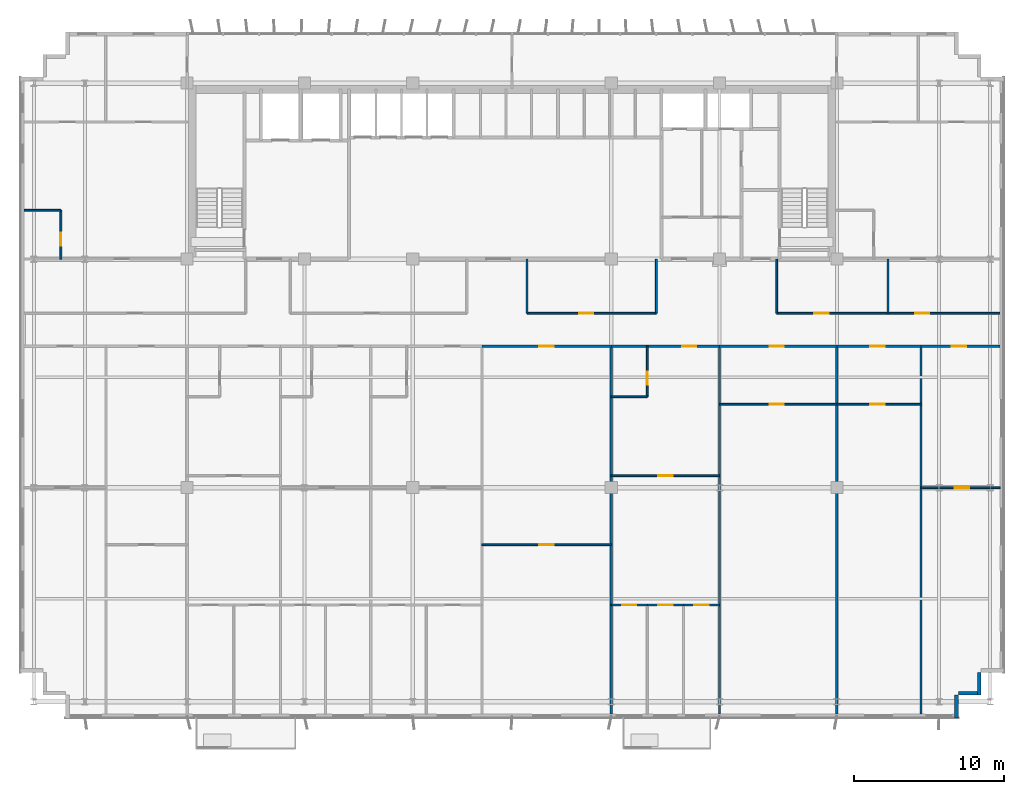
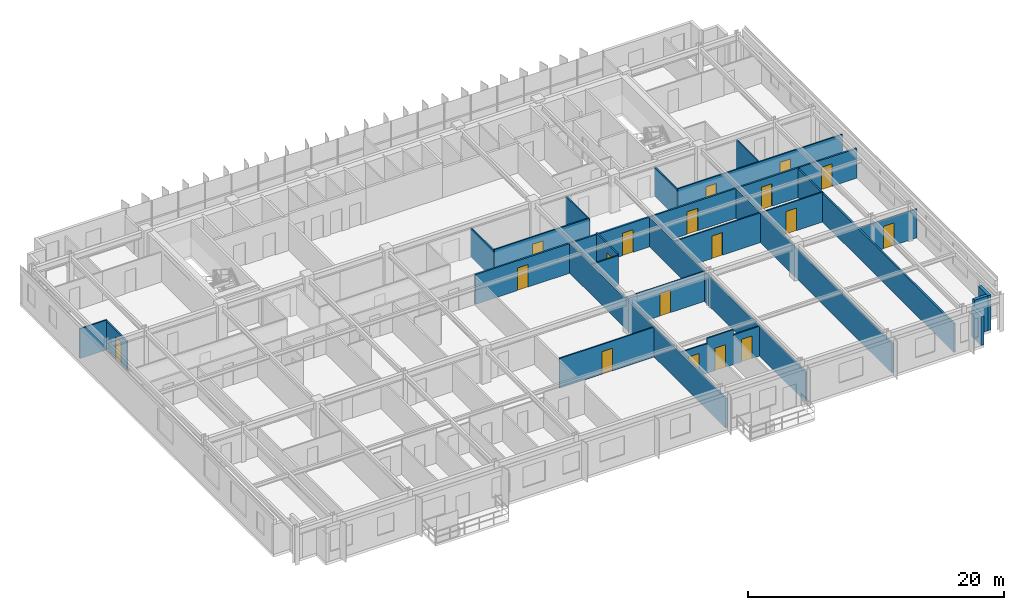
# One storey, part 16 of 22: 30 walls, 18 doors, 18 openings.
"""IFC4 building model written with IfcOpenShell, lengths in metres."""

import ifcopenshell
import ifcopenshell.guid

model = None  # the IFC model being written
_history = None  # IfcOwnerHistory: only IFC2X3 demands one
_inside = {}  # id of a spatial element -> (the spatial element, [elements in it])
_under = {}  # id of a project, library or spatial element -> (it, [spatial elements below it])
_declared = {}  # id of a project -> (the project, [libraries it declares])
_typed = {}  # id of a type object -> (the type object, [elements of that type])
_made_of = {}  # id of a material, layer set ... -> (it, [elements and type objects made of it])


def new_model(schema):
    """Start an empty IFC model of exactly this schema.

    Asked for "IFC4X3", IfcOpenShell would pick the latest addendum, in which some entities
    have other attributes; the version numbers below select the first issue.
    IFC2X3 requires an IfcOwnerHistory on every rooted entity: one is made here for all.
    """
    global model, _history
    if schema == "IFC4X3":
        model = ifcopenshell.file(schema_version=(4, 3, 0, 0))
    else:
        model = ifcopenshell.file(schema=schema)
    _inside.clear()
    _under.clear()
    _declared.clear()
    _typed.clear()
    _made_of.clear()
    _history = None
    if model.schema == "IFC2X3":
        org = make("IfcOrganization", Name="unknown")
        user = make(
            "IfcPersonAndOrganization",
            ThePerson=make("IfcPerson", FamilyName="unknown"),
            TheOrganization=org,
        )
        app = make(
            "IfcApplication",
            ApplicationDeveloper=org,
            Version="unknown",
            ApplicationFullName="unknown",
            ApplicationIdentifier="unknown",
        )
        _history = make(
            "IfcOwnerHistory",
            OwningUser=user,
            OwningApplication=app,
            ChangeAction="ADDED",
            CreationDate=0,
        )
    return model


def make(cls, **values):
    """One entity of the class cls with the attributes given. An attribute that is None is left unset."""
    return model.create_entity(
        cls, **{name: value for name, value in values.items() if value is not None}
    )


def rooted(cls, **values):
    """An entity with a GlobalId (a new one), such as an element, a storey or a relation."""
    return make(cls, GlobalId=ifcopenshell.guid.new(), OwnerHistory=_history, **values)


def si_unit(unit_type, name, prefix=None):
    """IfcSIUnit, for example si_unit("LENGTHUNIT", "METRE", prefix="MILLI")."""
    return make("IfcSIUnit", UnitType=unit_type, Prefix=prefix, Name=name)


def assignment(units):
    """IfcUnitAssignment: the units of a project."""
    return None if units is None else make("IfcUnitAssignment", Units=units)


def point(xyz):
    """IfcCartesianPoint."""
    return None if xyz is None else make("IfcCartesianPoint", Coordinates=xyz)


def direction(xyz):
    """IfcDirection."""
    return None if xyz is None else make("IfcDirection", DirectionRatios=xyz)


def frame(location, z_axis=None, x_axis=None):
    """IfcAxis2Placement3D, a coordinate frame: its origin and axes. An axis left out is left unset."""
    return make(
        "IfcAxis2Placement3D",
        Location=point(location),
        Axis=direction(z_axis),
        RefDirection=direction(x_axis),
    )


def frame_2d(location, x_axis=None):
    """IfcAxis2Placement2D, a coordinate frame in the plane: its origin and x axis."""
    return make(
        "IfcAxis2Placement2D", Location=point(location), RefDirection=direction(x_axis)
    )


def origin():
    """The frame at (0, 0, 0) with its axes left unset."""
    return frame((0.0, 0.0, 0.0))


def place(relative_to, where):
    """IfcLocalPlacement: puts the frame where relative to a parent placement (None: the world)."""
    return make(
        "IfcLocalPlacement", PlacementRelTo=relative_to, RelativePlacement=where
    )


def context(
    kind, dimensions, precision=None, world=None, true_north=None, identifier=None
):
    """IfcGeometricRepresentationContext, for example the 3D "Model" context."""
    return make(
        "IfcGeometricRepresentationContext",
        ContextIdentifier=identifier,
        ContextType=kind,
        CoordinateSpaceDimension=dimensions,
        Precision=precision,
        WorldCoordinateSystem=world,
        TrueNorth=true_north,
    )


def subcontext(parent, identifier, kind, view, scale=None):
    """IfcGeometricRepresentationSubContext, for example "Body" below "Model"."""
    return make(
        "IfcGeometricRepresentationSubContext",
        ContextIdentifier=identifier,
        ContextType=kind,
        ParentContext=parent,
        TargetScale=scale,
        TargetView=view,
    )


def project(units=None, contexts=None):
    """IfcProject with its units and contexts."""
    return rooted(
        "IfcProject",
        Name="project",
        RepresentationContexts=contexts,
        UnitsInContext=assignment(units),
    )


def spatial(cls, under=None, at=None, **own):
    """A site, building, storey or space (cls), placed at a placement, below another one or the project."""
    s = rooted(cls, ObjectPlacement=at, **own)
    if under is not None:
        _under.setdefault(under.id(), (under, []))[1].append(s)
    return s


def profile(cls, at=None, kind="AREA", **sizes):
    """A parametric profile (cls). Its sizes go by their IFC names, for example OverallWidth=200.0."""
    return make(cls, ProfileType=kind, Position=at, **sizes)


def rectangle(**sizes):
    """IfcRectangleProfileDef."""
    return profile("IfcRectangleProfileDef", **sizes)


def extrude(swept, where, along, depth):
    """IfcExtrudedAreaSolid: the profile swept, set in the frame where, extruded along a direction by depth."""
    return make(
        "IfcExtrudedAreaSolid",
        SweptArea=swept,
        Position=where,
        ExtrudedDirection=direction(along),
        Depth=depth,
    )


def shape(context_of_items, identifier, shape_type, items):
    """IfcShapeRepresentation: the items that make up one representation, for example the "Body"."""
    return make(
        "IfcShapeRepresentation",
        ContextOfItems=context_of_items,
        RepresentationIdentifier=identifier,
        RepresentationType=shape_type,
        Items=items,
    )


def source(mapping_origin, context_of_items, identifier, shape_type, items):
    """IfcRepresentationMap: a shape defined once, which mapped items show again and again."""
    return make(
        "IfcRepresentationMap",
        MappingOrigin=mapping_origin,
        MappedRepresentation=shape(context_of_items, identifier, shape_type, items),
    )


def transform(
    local_origin,
    x_axis=None,
    y_axis=None,
    z_axis=None,
    scale=None,
    scale2=None,
    scale3=None,
    uniform=True,
):
    """IfcCartesianTransformationOperator3D, or its non-uniform kind. x_axis, y_axis, z_axis: its Axis1, 2, 3."""
    if uniform:
        return make(
            "IfcCartesianTransformationOperator3D",
            Axis1=direction(x_axis),
            Axis2=direction(y_axis),
            LocalOrigin=point(local_origin),
            Scale=scale,
            Axis3=direction(z_axis),
        )
    return make(
        "IfcCartesianTransformationOperator3DnonUniform",
        Axis1=direction(x_axis),
        Axis2=direction(y_axis),
        LocalOrigin=point(local_origin),
        Scale=scale,
        Axis3=direction(z_axis),
        Scale2=scale2,
        Scale3=scale3,
    )


def mapped(mapping_source, mapping_target):
    """IfcMappedItem: shows the shape of a source again, moved by a transform."""
    return make(
        "IfcMappedItem", MappingSource=mapping_source, MappingTarget=mapping_target
    )


def material(Name=None, Category=None):
    """IfcMaterial."""
    return make("IfcMaterial", Name=Name, Category=Category)


def layer(
    of_material, thickness, ventilated=None, Name=None, Category=None, Priority=None
):
    """IfcMaterialLayer: one layer of a wall or slab, of a material (None: an air gap)."""
    return make(
        "IfcMaterialLayer",
        Material=of_material,
        LayerThickness=thickness,
        IsVentilated=ventilated,
        Name=Name,
        Category=Category,
        Priority=Priority,
    )


def layer_set(layers, Name=None):
    """IfcMaterialLayerSet."""
    return make("IfcMaterialLayerSet", MaterialLayers=layers, LayerSetName=Name)


def made_of(thing, what):
    """Note that an element or type object is made of a material, layer set ...; save() writes the relation."""
    if what is not None:
        _made_of.setdefault(what.id(), (what, []))[1].append(thing)
    return thing


def type_object(cls, material=None, **own):
    """A type object (cls), such as IfcWallType, which elements share."""
    return made_of(rooted(cls, **own), material)


def element(
    cls,
    number,
    at=None,
    inside=None,
    cuts=None,
    type_object=None,
    material=None,
    context=None,
    identifier="Body",
    shape_type=None,
    held_by="IfcProductDefinitionShape",
    body=None,
    shapes=None,
    **own,
):
    """One element of the class cls, such as IfcWall. Its Tag is "e" and its number.

    at: its placement. inside: the storey or other place that contains it. cuts: it is an
    opening in that element (IfcRelVoidsElement). A single representation is given by context,
    identifier, shape_type and body (its items); several are given by shapes. held_by: the class
    of the entity that holds the representations. save() writes the other relations.
    """
    e = rooted(cls, Tag="e%d" % number, ObjectPlacement=at, **own)
    if body is not None:
        shapes = [shape(context, identifier, shape_type, body)]
    if shapes is not None:
        e.Representation = make(held_by, Representations=shapes)
    if inside is not None:
        _inside.setdefault(inside.id(), (inside, []))[1].append(e)
    if cuts is not None:
        rooted(
            "IfcRelVoidsElement", RelatingBuildingElement=cuts, RelatedOpeningElement=e
        )
    if type_object is not None:
        _typed.setdefault(type_object.id(), (type_object, []))[1].append(e)
    return made_of(e, material)


def fill(opening, filler):
    """IfcRelFillsElement: the door or window that sits in an opening."""
    return rooted(
        "IfcRelFillsElement",
        RelatingOpeningElement=opening,
        RelatedBuildingElement=filler,
    )


def aggregate(whole, parts):
    """IfcRelAggregates: a whole, such as a stair, and the parts it consists of."""
    return rooted("IfcRelAggregates", RelatingObject=whole, RelatedObjects=parts)


def save(model, path):
    """Write the relations noted so far, then the file.

    IfcRelAggregates (storeys below a building ...), IfcRelContainedInSpatialStructure (elements
    in a storey), IfcRelDefinesByType, IfcRelAssociatesMaterial and IfcRelDeclares: one each for
    every whole, place, type object, material and project.
    """
    for whole, parts in _under.values():
        aggregate(whole, parts)
    for where, things in _inside.values():
        rooted(
            "IfcRelContainedInSpatialStructure",
            RelatedElements=things,
            RelatingStructure=where,
        )
    for kind, things in _typed.values():
        rooted("IfcRelDefinesByType", RelatedObjects=things, RelatingType=kind)
    for what, things in _made_of.values():
        rooted("IfcRelAssociatesMaterial", RelatedObjects=things, RelatingMaterial=what)
    for by, libraries in _declared.values():
        rooted("IfcRelDeclares", RelatingContext=by, RelatedDefinitions=libraries)
    model.write(path)


model = new_model("IFC4")

# Units and contexts
model_context = context("Model", 3, precision=1e-05, world=origin(), true_north=direction((0.0, 1.0)))
body_context = subcontext(model_context, "Body", "Model", "MODEL_VIEW")
ifc_project = project(units=[si_unit("LENGTHUNIT", "METRE"), si_unit("AREAUNIT", "SQUARE_METRE"), si_unit("VOLUMEUNIT", "CUBIC_METRE"), si_unit("PLANEANGLEUNIT", "RADIAN"), si_unit("MASSUNIT", "GRAM", prefix="KILO")], contexts=[model_context])

# Site, building, storey
site_placement = place(None, origin())
site = spatial("IfcSite", under=ifc_project, at=site_placement, CompositionType="ELEMENT")
building_placement = place(site_placement, origin())
building = spatial("IfcBuilding", under=site, at=building_placement, Name="Trelvane Seafront Commons", CompositionType="ELEMENT")
storey_placement = place(building_placement, frame((0.0, 0.0, 114.10009765625)))
storey = spatial("IfcBuildingStorey", under=building, at=storey_placement, Name="L29", CompositionType="ELEMENT", Elevation=114.10009765625)

# Walls
ifc_material_1 = material(Name="Precast concrete C40/50", Category="concrete")
ifc_layer_1 = layer(ifc_material_1, 0.260009765625, Name="ARCH-WALL-EXT260")
ifc_layer_set_1 = layer_set([ifc_layer_1], Name="Precast concrete C40/50")
wall_type_1 = type_object("IfcWallType", Name="ARCH-WALL-EXT260", PredefinedType="SOLIDWALL", material=ifc_layer_set_1)
for number, where, z_axis, x_axis, name in (
    (1, (68.27001953125, 5.89990234375, 0.0), (0.0, 0.0, 1.0), (0.0, -1.0, 0.0), "EW-L29-00554"),
    (2, (68.39990234375, 4.530029296875, 0.0), (0.0, 0.0, 1.0), (-1.0, 0.0, 0.0), "EW-L29-00555"),
):
    element("IfcWall", number, at=place(storey_placement, frame(where, z_axis=z_axis, x_axis=x_axis)), inside=storey, type_object=wall_type_1, Name=name, PredefinedType="SOLIDWALL", context=body_context, shape_type="SweptSolid", body=[
        extrude(rectangle(XDim=1.5, YDim=0.260009765625, at=frame_2d((0.75, 0.0))), origin(), (0.0, 0.0, 1.0), 3.33984375),
    ])
wall_1_placement = place(storey_placement, frame((66.77001953125, 4.39990234375, 0.0), z_axis=(0.0, 0.0, 1.0), x_axis=(0.0, -1.0, 0.0)))
element("IfcWall", 3, at=wall_1_placement, inside=storey, type_object=wall_type_1, Name="EW-L29-00556", PredefinedType="SOLIDWALL", context=body_context, shape_type="SweptSolid", body=[
    extrude(rectangle(XDim=1.5, YDim=0.260009765625, at=frame_2d((0.75, 0.0))), origin(), (0.0, 0.0, 1.0), 2.751953125),
])

# Wall, opening, door
ifc_material_2 = material(Name="Gypsum Drywall Acoustic Partition")
ifc_layer_2 = layer(ifc_material_2, 0.1201171875, Name="ARCH-WALL-PART120")
ifc_layer_set_2 = layer_set([ifc_layer_2], Name="Gypsum Drywall Acoustic Partition")
wall_type_2 = type_object("IfcWallType", Name="ARCH-WALL-PART120", PredefinedType="PARTITIONING", material=ifc_layer_set_2)
wall_2_placement = place(storey_placement, frame((38.199951171875, 29.800048828125, 0.0), z_axis=(0.0, 0.0, 1.0), x_axis=(1.0, 0.0, 0.0)))
wall_2 = element("IfcWall", 4, at=wall_2_placement, inside=storey, type_object=wall_type_2, Name="W-L29-CORR-N-M2-040", PredefinedType="PARTITIONING", context=body_context, shape_type="SweptSolid", body=[
    extrude(rectangle(XDim=8.60009765625, YDim=0.1201171875, at=frame_2d((4.300048828125, 0.0))), origin(), (0.0, 0.0, 1.0), 2.83984375),
])
opening_1_placement = place(wall_2_placement, frame((3.4619140625, 0.0, 0.0)))
opening_1 = element("IfcOpeningElement", 5, at=opening_1_placement, cuts=wall_2, Name="Opening D-L29-20", PredefinedType="OPENING", context=body_context, shape_type="SweptSolid", body=[
    extrude(rectangle(XDim=0.949951171875, YDim=2.14990234375, at=frame_2d((0.47509765625, 1.074951171875))), frame((0.0, 0.070068359375, 0.0), z_axis=(0.0, -1.0, 0.0), x_axis=(1.0, 0.0, 0.0)), (0.0, 0.0, 1.0), 0.14013671875),
])
ifc_material_3 = material(Name="Acoustic timber door leaf", Category="wood")
door_type_1 = type_object("IfcDoorType", Name="ARCH-DR-INT950", OperationType="NOTDEFINED", PredefinedType="DOOR", material=ifc_material_3)
shared_shape_1 = source(origin(), body_context, "Body", "SweptSolid", [
    extrude(rectangle(XDim=0.949951171875, YDim=2.14990234375, at=frame_2d((0.47509765625, 1.074951171875))), frame((0.0, 0.02490234375, 0.0), z_axis=(0.0, -1.0, 0.0), x_axis=(1.0, 0.0, 0.0)), (0.0, 0.0, 1.0), 0.050048828125),
])
door_1_placement = place(opening_1_placement, origin())
door_1 = element("IfcDoor", 6, at=door_1_placement, inside=storey, type_object=door_type_1, Name="L29 Door 20", OperationType="SINGLE_SWING_RIGHT", OverallHeight=2.14990234375, OverallWidth=0.949951171875, PredefinedType="DOOR", context=body_context, shape_type="MappedRepresentation", body=[
    mapped(shared_shape_1, transform((0.0, 0.0, 0.0), x_axis=(1.0, 0.0, 0.0), y_axis=(0.0, 1.0, 0.0), z_axis=(0.0, 0.0, 1.0), scale=1.0)),
])
fill(opening_1, door_1)

# Wall, openings, doors
wall_3_placement = place(storey_placement, frame((54.800048828125, 29.800048828125, 0.0), z_axis=(0.0, 0.0, 1.0), x_axis=(1.0, 0.0, 0.0)))
wall_3 = element("IfcWall", 7, at=wall_3_placement, inside=storey, type_object=wall_type_2, Name="W-L29-CORR-N-E-041", PredefinedType="PARTITIONING", context=body_context, shape_type="SweptSolid", body=[
    extrude(rectangle(XDim=14.849853515625, YDim=0.1201171875, at=frame_2d((7.4248046875, 0.0))), origin(), (0.0, 0.0, 1.0), 2.83984375),
])
opening_2_placement = place(wall_3_placement, frame((2.5, 0.0, 0.0)))
opening_2 = element("IfcOpeningElement", 8, at=opening_2_placement, cuts=wall_3, Name="Opening D-L29-21", PredefinedType="OPENING", context=body_context, shape_type="SweptSolid", body=[
    extrude(rectangle(XDim=0.949951171875, YDim=2.14990234375, at=frame_2d((0.47509765625, 1.074951171875))), frame((0.0, 0.070068359375, 0.0), z_axis=(0.0, -1.0, 0.0), x_axis=(1.0, 0.0, 0.0)), (0.0, 0.0, 1.0), 0.14013671875),
])
opening_3_placement = place(wall_3_placement, frame((9.199951171875, 0.0, 0.0)))
opening_3 = element("IfcOpeningElement", 9, at=opening_3_placement, cuts=wall_3, Name="Opening D-L29-22", PredefinedType="OPENING", context=body_context, shape_type="SweptSolid", body=[
    extrude(rectangle(XDim=0.949951171875, YDim=2.14990234375, at=frame_2d((0.47509765625, 1.074951171875))), frame((0.0, 0.070068359375, 0.0), z_axis=(0.0, -1.0, 0.0), x_axis=(1.0, 0.0, 0.0)), (0.0, 0.0, 1.0), 0.14013671875),
])
door_2_placement = place(opening_2_placement, origin())
door_2 = element("IfcDoor", 10, at=door_2_placement, inside=storey, type_object=door_type_1, Name="L29 Door 21", OperationType="SINGLE_SWING_LEFT", OverallHeight=2.14990234375, OverallWidth=0.949951171875, PredefinedType="DOOR", context=body_context, shape_type="MappedRepresentation", body=[
    mapped(shared_shape_1, transform((0.0, 0.0, 0.0), x_axis=(1.0, 0.0, 0.0), y_axis=(0.0, 1.0, 0.0), z_axis=(0.0, 0.0, 1.0), scale=1.0)),
])
fill(opening_2, door_2)
door_3_placement = place(opening_3_placement, origin())
door_3 = element("IfcDoor", 11, at=door_3_placement, inside=storey, type_object=door_type_1, Name="L29 Door 22", OperationType="SINGLE_SWING_RIGHT", OverallHeight=2.14990234375, OverallWidth=0.949951171875, PredefinedType="DOOR", context=body_context, shape_type="MappedRepresentation", body=[
    mapped(shared_shape_1, transform((0.0, 0.0, 0.0), x_axis=(1.0, 0.0, 0.0), y_axis=(0.0, 1.0, 0.0), z_axis=(0.0, 0.0, 1.0), scale=1.0)),
])
fill(opening_3, door_3)

# Walls
for number, where, z_axis, x_axis, name in (
    (12, (62.199951171875, 29.800048828125, 0.0), (0.0, 0.0, 1.0), (0.0, 1.0, 0.0), "W-L29-N-LAUN-DV-042"),
    (13, (38.199951171875, 29.800048828125, 0.0), (0.0, 0.0, 1.0), (0.0, 1.0, 0.0), "W-L29-N-SPUR-M2-046"),
    (14, (46.800048828125, 29.800048828125, 0.0), (0.0, 0.0, 1.0), (0.0, 1.0, 0.0), "W-L29-N-SPUR-E1-047"),
    (15, (54.800048828125, 29.800048828125, 0.0), (0.0, 0.0, 1.0), (0.0, 1.0, 0.0), "W-L29-N-SPUR-E2-048"),
):
    element("IfcWall", number, at=place(storey_placement, frame(where, z_axis=z_axis, x_axis=x_axis)), inside=storey, type_object=wall_type_2, Name=name, PredefinedType="PARTITIONING", context=body_context, shape_type="SweptSolid", body=[
        extrude(rectangle(XDim=3.599853515625, YDim=0.1201171875, at=frame_2d((1.7998046875, 0.0))), origin(), (0.0, 0.0, 1.0), 2.751953125),
    ])

# Wall, opening, door
wall_4_placement = place(storey_placement, frame((7.199951171875, 33.39990234375, 0.0), z_axis=(0.0, 0.0, 1.0), x_axis=(0.0, 1.0, 0.0)))
wall_4 = element("IfcWall", 16, at=wall_4_placement, inside=storey, type_object=wall_type_2, Name="W-L29-NW-BE-049", PredefinedType="PARTITIONING", context=body_context, shape_type="SweptSolid", body=[
    extrude(rectangle(XDim=3.25, YDim=0.1201171875, at=frame_2d((1.625, 0.0))), origin(), (0.0, 0.0, 1.0), 2.751953125),
])
opening_4_placement = place(wall_4_placement, frame((0.89990234375, 0.0, 0.0)))
opening_4 = element("IfcOpeningElement", 17, at=opening_4_placement, cuts=wall_4, Name="Opening D-L29-23", PredefinedType="OPENING", context=body_context, shape_type="SweptSolid", body=[
    extrude(rectangle(XDim=0.85009765625, YDim=2.10009765625, at=frame_2d((0.425048828125, 1.050048828125))), frame((0.0, 0.070068359375, 0.0), z_axis=(0.0, -1.0, 0.0), x_axis=(1.0, 0.0, 0.0)), (0.0, 0.0, 1.0), 0.14013671875),
])
door_type_2 = type_object("IfcDoorType", Name="ARCH-DR-INT850", OperationType="NOTDEFINED", PredefinedType="DOOR", material=ifc_material_3)
shared_shape_2 = source(origin(), body_context, "Body", "SweptSolid", [
    extrude(rectangle(XDim=0.85009765625, YDim=2.10009765625, at=frame_2d((0.425048828125, 1.050048828125))), frame((0.0, 0.02490234375, 0.0), z_axis=(0.0, -1.0, 0.0), x_axis=(1.0, 0.0, 0.0)), (0.0, 0.0, 1.0), 0.050048828125),
])
door_4_placement = place(opening_4_placement, origin())
door_4 = element("IfcDoor", 18, at=door_4_placement, inside=storey, type_object=door_type_2, Name="L29 Door 23", OperationType="SINGLE_SWING_LEFT", OverallHeight=2.10009765625, OverallWidth=0.85009765625, PredefinedType="DOOR", context=body_context, shape_type="MappedRepresentation", body=[
    mapped(shared_shape_2, transform((0.0, 0.0, 0.0), x_axis=(1.0, 0.0, 0.0), y_axis=(0.0, 1.0, 0.0), z_axis=(0.0, 0.0, 1.0), scale=1.0)),
])
fill(opening_4, door_4)

# Wall
wall_5_placement = place(storey_placement, frame((4.75, 36.64990234375, 0.0), z_axis=(0.0, 0.0, 1.0), x_axis=(1.0, 0.0, 0.0)))
element("IfcWall", 19, at=wall_5_placement, inside=storey, type_object=wall_type_2, Name="W-L29-NW-BN-050", PredefinedType="PARTITIONING", context=body_context, shape_type="SweptSolid", body=[
    extrude(rectangle(XDim=2.449951171875, YDim=0.1201171875, at=frame_2d((1.22509765625, 0.0))), origin(), (0.0, 0.0, 1.0), 2.83984375),
])

# Wall, opening, door
wall_6_placement = place(storey_placement, frame((35.199951171875, 14.39990234375, 0.0), z_axis=(0.0, 0.0, 1.0), x_axis=(1.0, 0.0, 0.0)))
wall_6 = element("IfcWall", 20, at=wall_6_placement, inside=storey, type_object=wall_type_2, Name="W-L29-U6-DIV-099", PredefinedType="PARTITIONING", context=body_context, shape_type="SweptSolid", body=[
    extrude(rectangle(XDim=8.60009765625, YDim=0.1201171875, at=frame_2d((4.300048828125, 0.0))), origin(), (0.0, 0.0, 1.0), 2.83984375),
])
opening_5_placement = place(wall_6_placement, frame((3.824951171875, 0.0, 0.0)))
opening_5 = element("IfcOpeningElement", 21, at=opening_5_placement, cuts=wall_6, Name="Opening D-L29-54", PredefinedType="OPENING", context=body_context, shape_type="SweptSolid", body=[
    extrude(rectangle(XDim=0.949951171875, YDim=2.14990234375, at=frame_2d((0.47509765625, 1.074951171875))), frame((0.0, 0.070068359375, 0.0), z_axis=(0.0, -1.0, 0.0), x_axis=(1.0, 0.0, 0.0)), (0.0, 0.0, 1.0), 0.14013671875),
])
door_5_placement = place(opening_5_placement, origin())
door_5 = element("IfcDoor", 22, at=door_5_placement, inside=storey, type_object=door_type_1, Name="L29 Door 54", OperationType="SINGLE_SWING_RIGHT", OverallHeight=2.14990234375, OverallWidth=0.949951171875, PredefinedType="DOOR", context=body_context, shape_type="MappedRepresentation", body=[
    mapped(shared_shape_1, transform((0.0, 0.0, 0.0), x_axis=(1.0, 0.0, 0.0), y_axis=(0.0, 1.0, 0.0), z_axis=(0.0, 0.0, 1.0), scale=1.0)),
])
fill(opening_5, door_5)

wall_7_placement = place(storey_placement, frame((43.800048828125, 19.0, 0.0), z_axis=(0.0, 0.0, 1.0), x_axis=(1.0, 0.0, 0.0)))
wall_7 = element("IfcWall", 23, at=wall_7_placement, inside=storey, type_object=wall_type_2, Name="W-L29-U7-KL-100", PredefinedType="PARTITIONING", context=body_context, shape_type="SweptSolid", body=[
    extrude(rectangle(XDim=7.199951171875, YDim=0.1201171875, at=frame_2d((3.60009765625, 0.0))), origin(), (0.0, 0.0, 1.0), 2.83984375),
])
opening_6_placement = place(wall_7_placement, frame((3.125, 0.0, 0.0)))
opening_6 = element("IfcOpeningElement", 24, at=opening_6_placement, cuts=wall_7, Name="Opening D-L29-55", PredefinedType="OPENING", context=body_context, shape_type="SweptSolid", body=[
    extrude(rectangle(XDim=0.949951171875, YDim=2.14990234375, at=frame_2d((0.47509765625, 1.074951171875))), frame((0.0, 0.070068359375, 0.0), z_axis=(0.0, -1.0, 0.0), x_axis=(1.0, 0.0, 0.0)), (0.0, 0.0, 1.0), 0.14013671875),
])
door_6_placement = place(opening_6_placement, origin())
door_6 = element("IfcDoor", 25, at=door_6_placement, inside=storey, type_object=door_type_1, Name="L29 Door 55", OperationType="SINGLE_SWING_LEFT", OverallHeight=2.14990234375, OverallWidth=0.949951171875, PredefinedType="DOOR", context=body_context, shape_type="MappedRepresentation", body=[
    mapped(shared_shape_1, transform((0.0, 0.0, 0.0), x_axis=(1.0, 0.0, 0.0), y_axis=(0.0, 1.0, 0.0), z_axis=(0.0, 0.0, 1.0), scale=1.0)),
])
fill(opening_6, door_6)

wall_8_placement = place(storey_placement, frame((46.199951171875, 24.25, 0.0), z_axis=(0.0, 0.0, 1.0), x_axis=(0.0, 1.0, 0.0)))
wall_8 = element("IfcWall", 26, at=wall_8_placement, inside=storey, type_object=wall_type_2, Name="W-L29-U7-BE-101", PredefinedType="PARTITIONING", context=body_context, shape_type="SweptSolid", body=[
    extrude(rectangle(XDim=3.35009765625, YDim=0.1201171875, at=frame_2d((1.675048828125, 0.0))), origin(), (0.0, 0.0, 1.0), 2.989990234375),
])
opening_7_placement = place(wall_8_placement, frame((0.800048828125, 0.0, 0.0)))
opening_7 = element("IfcOpeningElement", 27, at=opening_7_placement, cuts=wall_8, Name="Opening D-L29-56", PredefinedType="OPENING", context=body_context, shape_type="SweptSolid", body=[
    extrude(rectangle(XDim=0.85009765625, YDim=2.10009765625, at=frame_2d((0.425048828125, 1.050048828125))), frame((0.0, 0.070068359375, 0.0), z_axis=(0.0, -1.0, 0.0), x_axis=(1.0, 0.0, 0.0)), (0.0, 0.0, 1.0), 0.14013671875),
])
door_7_placement = place(opening_7_placement, origin())
door_7 = element("IfcDoor", 28, at=door_7_placement, inside=storey, type_object=door_type_2, Name="L29 Door 56", OperationType="SINGLE_SWING_RIGHT", OverallHeight=2.10009765625, OverallWidth=0.85009765625, PredefinedType="DOOR", context=body_context, shape_type="MappedRepresentation", body=[
    mapped(shared_shape_2, transform((0.0, 0.0, 0.0), x_axis=(1.0, 0.0, 0.0), y_axis=(0.0, 1.0, 0.0), z_axis=(0.0, 0.0, 1.0), scale=1.0)),
])
fill(opening_7, door_7)

# Wall
wall_9_placement = place(storey_placement, frame((43.800048828125, 24.25, 0.0), z_axis=(0.0, 0.0, 1.0), x_axis=(1.0, 0.0, 0.0)))
element("IfcWall", 29, at=wall_9_placement, inside=storey, type_object=wall_type_2, Name="W-L29-U7-BS-102", PredefinedType="PARTITIONING", context=body_context, shape_type="SweptSolid", body=[
    extrude(rectangle(XDim=2.39990234375, YDim=0.1201171875, at=frame_2d((1.199951171875, 0.0))), origin(), (0.0, 0.0, 1.0), 2.83984375),
])

# Wall, opening, door
wall_10_placement = place(storey_placement, frame((43.800048828125, 10.39990234375, 0.0), z_axis=(0.0, 0.0, 1.0), x_axis=(1.0, 0.0, 0.0)))
wall_10 = element("IfcWall", 30, at=wall_10_placement, inside=storey, type_object=wall_type_2, Name="W-L29-U7-YM-1-104", PredefinedType="PARTITIONING", context=body_context, shape_type="SweptSolid", body=[
    extrude(rectangle(XDim=2.39990234375, YDim=0.1201171875, at=frame_2d((1.199951171875, 0.0))), origin(), (0.0, 0.0, 1.0), 2.83984375),
])
opening_8_placement = place(wall_10_placement, frame((0.72509765625, 0.0, 0.0)))
opening_8 = element("IfcOpeningElement", 31, at=opening_8_placement, cuts=wall_10, Name="Opening D-L29-58", PredefinedType="OPENING", context=body_context, shape_type="SweptSolid", body=[
    extrude(rectangle(XDim=0.949951171875, YDim=2.14990234375, at=frame_2d((0.47509765625, 1.074951171875))), frame((0.0, 0.070068359375, 0.0), z_axis=(0.0, -1.0, 0.0), x_axis=(1.0, 0.0, 0.0)), (0.0, 0.0, 1.0), 0.14013671875),
])
door_8_placement = place(opening_8_placement, origin())
door_8 = element("IfcDoor", 32, at=door_8_placement, inside=storey, type_object=door_type_1, Name="L29 Door 58", OperationType="SINGLE_SWING_RIGHT", OverallHeight=2.14990234375, OverallWidth=0.949951171875, PredefinedType="DOOR", context=body_context, shape_type="MappedRepresentation", body=[
    mapped(shared_shape_1, transform((0.0, 0.0, 0.0), x_axis=(1.0, 0.0, 0.0), y_axis=(0.0, 1.0, 0.0), z_axis=(0.0, 0.0, 1.0), scale=1.0)),
])
fill(opening_8, door_8)

wall_11_placement = place(storey_placement, frame((46.199951171875, 10.39990234375, 0.0), z_axis=(0.0, 0.0, 1.0), x_axis=(1.0, 0.0, 0.0)))
wall_11 = element("IfcWall", 33, at=wall_11_placement, inside=storey, type_object=wall_type_2, Name="W-L29-U7-YM-2-105", PredefinedType="PARTITIONING", context=body_context, shape_type="SweptSolid", body=[
    extrude(rectangle(XDim=2.400146484375, YDim=0.1201171875, at=frame_2d((1.2001953125, 0.0))), origin(), (0.0, 0.0, 1.0), 3.33984375),
])
opening_9_placement = place(wall_11_placement, frame((0.72509765625, 0.0, 0.0)))
opening_9 = element("IfcOpeningElement", 34, at=opening_9_placement, cuts=wall_11, Name="Opening D-L29-59", PredefinedType="OPENING", context=body_context, shape_type="SweptSolid", body=[
    extrude(rectangle(XDim=0.949951171875, YDim=2.14990234375, at=frame_2d((0.47509765625, 1.074951171875))), frame((0.0, 0.070068359375, 0.0), z_axis=(0.0, -1.0, 0.0), x_axis=(1.0, 0.0, 0.0)), (0.0, 0.0, 1.0), 0.14013671875),
])
door_9_placement = place(opening_9_placement, origin())
door_9 = element("IfcDoor", 35, at=door_9_placement, inside=storey, type_object=door_type_1, Name="L29 Door 59", OperationType="SINGLE_SWING_LEFT", OverallHeight=2.14990234375, OverallWidth=0.949951171875, PredefinedType="DOOR", context=body_context, shape_type="MappedRepresentation", body=[
    mapped(shared_shape_1, transform((0.0, 0.0, 0.0), x_axis=(1.0, 0.0, 0.0), y_axis=(0.0, 1.0, 0.0), z_axis=(0.0, 0.0, 1.0), scale=1.0)),
])
fill(opening_9, door_9)

wall_12_placement = place(storey_placement, frame((48.60009765625, 10.39990234375, 0.0), z_axis=(0.0, 0.0, 1.0), x_axis=(1.0, 0.0, 0.0)))
wall_12 = element("IfcWall", 36, at=wall_12_placement, inside=storey, type_object=wall_type_2, Name="W-L29-U7-YM-3-107", PredefinedType="PARTITIONING", context=body_context, shape_type="SweptSolid", body=[
    extrude(rectangle(XDim=2.39990234375, YDim=0.1201171875, at=frame_2d((1.199951171875, 0.0))), origin(), (0.0, 0.0, 1.0), 2.83984375),
])
opening_10_placement = place(wall_12_placement, frame((0.72509765625, 0.0, 0.0)))
opening_10 = element("IfcOpeningElement", 37, at=opening_10_placement, cuts=wall_12, Name="Opening D-L29-60", PredefinedType="OPENING", context=body_context, shape_type="SweptSolid", body=[
    extrude(rectangle(XDim=0.949951171875, YDim=2.14990234375, at=frame_2d((0.47509765625, 1.074951171875))), frame((0.0, 0.070068359375, 0.0), z_axis=(0.0, -1.0, 0.0), x_axis=(1.0, 0.0, 0.0)), (0.0, 0.0, 1.0), 0.14013671875),
])
door_10_placement = place(opening_10_placement, origin())
door_10 = element("IfcDoor", 38, at=door_10_placement, inside=storey, type_object=door_type_1, Name="L29 Door 60", OperationType="SINGLE_SWING_RIGHT", OverallHeight=2.14990234375, OverallWidth=0.949951171875, PredefinedType="DOOR", context=body_context, shape_type="MappedRepresentation", body=[
    mapped(shared_shape_1, transform((0.0, 0.0, 0.0), x_axis=(1.0, 0.0, 0.0), y_axis=(0.0, 1.0, 0.0), z_axis=(0.0, 0.0, 1.0), scale=1.0)),
])
fill(opening_10, door_10)

wall_13_placement = place(storey_placement, frame((51.0, 23.75, 0.0), z_axis=(0.0, 0.0, 1.0), x_axis=(1.0, 0.0, 0.0)))
wall_13 = element("IfcWall", 39, at=wall_13_placement, inside=storey, type_object=wall_type_2, Name="W-L29-U8-DIV-110", PredefinedType="PARTITIONING", context=body_context, shape_type="SweptSolid", body=[
    extrude(rectangle(XDim=7.800048828125, YDim=0.1201171875, at=frame_2d((3.89990234375, 0.0))), origin(), (0.0, 0.0, 1.0), 2.83984375),
])
opening_11_placement = place(wall_13_placement, frame((3.3330078125, 0.0, 0.0)))
opening_11 = element("IfcOpeningElement", 40, at=opening_11_placement, cuts=wall_13, Name="Opening D-L29-62", PredefinedType="OPENING", context=body_context, shape_type="SweptSolid", body=[
    extrude(rectangle(XDim=0.949951171875, YDim=2.14990234375, at=frame_2d((0.47509765625, 1.074951171875))), frame((0.0, 0.070068359375, 0.0), z_axis=(0.0, -1.0, 0.0), x_axis=(1.0, 0.0, 0.0)), (0.0, 0.0, 1.0), 0.14013671875),
])
door_11_placement = place(opening_11_placement, origin())
door_11 = element("IfcDoor", 41, at=door_11_placement, inside=storey, type_object=door_type_1, Name="L29 Door 62", OperationType="SINGLE_SWING_RIGHT", OverallHeight=2.14990234375, OverallWidth=0.949951171875, PredefinedType="DOOR", context=body_context, shape_type="MappedRepresentation", body=[
    mapped(shared_shape_1, transform((0.0, 0.0, 0.0), x_axis=(1.0, 0.0, 0.0), y_axis=(0.0, 1.0, 0.0), z_axis=(0.0, 0.0, 1.0), scale=1.0)),
])
fill(opening_11, door_11)

wall_14_placement = place(storey_placement, frame((58.800048828125, 23.75, 0.0), z_axis=(0.0, 0.0, 1.0), x_axis=(1.0, 0.0, 0.0)))
wall_14 = element("IfcWall", 42, at=wall_14_placement, inside=storey, type_object=wall_type_2, Name="W-L29-U9-DIV-112", PredefinedType="PARTITIONING", context=body_context, shape_type="SweptSolid", body=[
    extrude(rectangle(XDim=5.599853515625, YDim=0.1201171875, at=frame_2d((2.7998046875, 0.0))), origin(), (0.0, 0.0, 1.0), 2.83984375),
])
opening_12_placement = place(wall_14_placement, frame((2.23193359375, 0.0, 0.0)))
opening_12 = element("IfcOpeningElement", 43, at=opening_12_placement, cuts=wall_14, Name="Opening D-L29-64", PredefinedType="OPENING", context=body_context, shape_type="SweptSolid", body=[
    extrude(rectangle(XDim=0.949951171875, YDim=2.14990234375, at=frame_2d((0.47509765625, 1.074951171875))), frame((0.0, 0.070068359375, 0.0), z_axis=(0.0, -1.0, 0.0), x_axis=(1.0, 0.0, 0.0)), (0.0, 0.0, 1.0), 0.14013671875),
])
door_12_placement = place(opening_12_placement, origin())
door_12 = element("IfcDoor", 44, at=door_12_placement, inside=storey, type_object=door_type_1, Name="L29 Door 64", OperationType="SINGLE_SWING_RIGHT", OverallHeight=2.14990234375, OverallWidth=0.949951171875, PredefinedType="DOOR", context=body_context, shape_type="MappedRepresentation", body=[
    mapped(shared_shape_1, transform((0.0, 0.0, 0.0), x_axis=(1.0, 0.0, 0.0), y_axis=(0.0, 1.0, 0.0), z_axis=(0.0, 0.0, 1.0), scale=1.0)),
])
fill(opening_12, door_12)

wall_15_placement = place(storey_placement, frame((64.39990234375, 18.199951171875, 0.0), z_axis=(0.0, 0.0, 1.0), x_axis=(1.0, 0.0, 0.0)))
wall_15 = element("IfcWall", 45, at=wall_15_placement, inside=storey, type_object=wall_type_2, Name="W-L29-U10-DIV-114", PredefinedType="PARTITIONING", context=body_context, shape_type="SweptSolid", body=[
    extrude(rectangle(XDim=5.255126953125, YDim=0.1201171875, at=frame_2d((2.62744140625, 0.0))), origin(), (0.0, 0.0, 1.0), 2.751953125),
])
opening_13_placement = place(wall_15_placement, frame((2.24609375, 0.0, 0.0)))
opening_13 = element("IfcOpeningElement", 46, at=opening_13_placement, cuts=wall_15, Name="Opening D-L29-66", PredefinedType="OPENING", context=body_context, shape_type="SweptSolid", body=[
    extrude(rectangle(XDim=0.949951171875, YDim=2.14990234375, at=frame_2d((0.47509765625, 1.074951171875))), frame((0.0, 0.070068359375, 0.0), z_axis=(0.0, -1.0, 0.0), x_axis=(1.0, 0.0, 0.0)), (0.0, 0.0, 1.0), 0.14013671875),
])
door_13_placement = place(opening_13_placement, origin())
door_13 = element("IfcDoor", 47, at=door_13_placement, inside=storey, type_object=door_type_1, Name="L29 Door 66", OperationType="SINGLE_SWING_RIGHT", OverallHeight=2.14990234375, OverallWidth=0.949951171875, PredefinedType="DOOR", context=body_context, shape_type="MappedRepresentation", body=[
    mapped(shared_shape_1, transform((0.0, 0.0, 0.0), x_axis=(1.0, 0.0, 0.0), y_axis=(0.0, 1.0, 0.0), z_axis=(0.0, 0.0, 1.0), scale=1.0)),
])
fill(opening_13, door_13)

# Walls
ifc_layer_3 = layer(ifc_material_2, 0.14990234375, Name="ARCH-WALL-PART150")
ifc_layer_set_3 = layer_set([ifc_layer_3], Name="Gypsum Drywall Acoustic Partition")
wall_type_3 = type_object("IfcWallType", Name="ARCH-WALL-PART150", PredefinedType="PARTITIONING", material=ifc_layer_set_3)
for number, where, z_axis, x_axis, name in (
    (48, (43.800048828125, 3.14501953125, 0.0), (0.0, 0.0, 1.0), (0.0, 1.0, 0.0), "W-L29-PW-6-069"),
    (49, (51.0, 3.14501953125, 0.0), (0.0, 0.0, 1.0), (0.0, 1.0, 0.0), "W-L29-PW-7-070"),
    (50, (58.800048828125, 3.14501953125, 0.0), (0.0, 0.0, 1.0), (0.0, 1.0, 0.0), "W-L29-PW-8-071"),
):
    element("IfcWall", number, at=place(storey_placement, frame(where, z_axis=z_axis, x_axis=x_axis)), inside=storey, type_object=wall_type_3, Name=name, PredefinedType="PARTITIONING", context=body_context, shape_type="SweptSolid", body=[
        extrude(rectangle(XDim=24.455078125, YDim=0.14990234375, at=frame_2d((12.2275390625, 0.0))), origin(), (0.0, 0.0, 1.0), 2.83984375),
    ])
wall_16_placement = place(storey_placement, frame((64.39990234375, 3.14501953125, 0.0), z_axis=(0.0, 0.0, 1.0), x_axis=(0.0, 1.0, 0.0)))
element("IfcWall", 51, at=wall_16_placement, inside=storey, type_object=wall_type_3, Name="W-L29-PW-9-072", PredefinedType="PARTITIONING", context=body_context, shape_type="SweptSolid", body=[
    extrude(rectangle(XDim=24.455078125, YDim=0.14990234375, at=frame_2d((12.2275390625, 0.0))), origin(), (0.0, 0.0, 1.0), 2.751953125),
])

# Wall, opening, door
wall_17_placement = place(storey_placement, frame((35.199951171875, 27.60009765625, 0.0), z_axis=(0.0, 0.0, 1.0), x_axis=(1.0, 0.0, 0.0)))
wall_17 = element("IfcWall", 52, at=wall_17_placement, inside=storey, type_object=wall_type_3, Name="W-L29-CS-BAY-6-098", PredefinedType="PARTITIONING", context=body_context, shape_type="SweptSolid", body=[
    extrude(rectangle(XDim=8.60009765625, YDim=0.14990234375, at=frame_2d((4.300048828125, 0.0))), origin(), (0.0, 0.0, 1.0), 2.83984375),
])
opening_14_placement = place(wall_17_placement, frame((3.824951171875, 0.0, 0.0)))
opening_14 = element("IfcOpeningElement", 53, at=opening_14_placement, cuts=wall_17, Name="Opening FD-L29-53", PredefinedType="OPENING", context=body_context, shape_type="SweptSolid", body=[
    extrude(rectangle(XDim=0.949951171875, YDim=2.14990234375, at=frame_2d((0.47509765625, 1.074951171875))), frame((0.0, 0.0849609375, 0.0), z_axis=(0.0, -1.0, 0.0), x_axis=(1.0, 0.0, 0.0)), (0.0, 0.0, 1.0), 0.169921875),
])
ifc_material_4 = material(Name="Powder-coated aluminium frame", Category="aluminium")
door_type_3 = type_object("IfcDoorType", Name="ARCH-DR-FD60-950", OperationType="NOTDEFINED", PredefinedType="DOOR", material=ifc_material_4)
door_14_placement = place(opening_14_placement, origin())
door_14 = element("IfcDoor", 54, at=door_14_placement, inside=storey, type_object=door_type_3, Name="L29 Bay 06 Entrance Door", OperationType="SINGLE_SWING_LEFT", OverallHeight=2.14990234375, OverallWidth=0.949951171875, PredefinedType="DOOR", context=body_context, shape_type="MappedRepresentation", body=[
    mapped(shared_shape_1, transform((0.0, 0.0, 0.0), x_axis=(1.0, 0.0, 0.0), y_axis=(0.0, 1.0, 0.0), z_axis=(0.0, 0.0, 1.0), scale=1.0)),
])
fill(opening_14, door_14)

wall_18_placement = place(storey_placement, frame((43.800048828125, 27.60009765625, 0.0), z_axis=(0.0, 0.0, 1.0), x_axis=(1.0, 0.0, 0.0)))
wall_18 = element("IfcWall", 55, at=wall_18_placement, inside=storey, type_object=wall_type_3, Name="W-L29-CS-BAY-7-103", PredefinedType="PARTITIONING", context=body_context, shape_type="SweptSolid", body=[
    extrude(rectangle(XDim=7.199951171875, YDim=0.14990234375, at=frame_2d((3.60009765625, 0.0))), origin(), (0.0, 0.0, 1.0), 2.83984375),
])
opening_15_placement = place(wall_18_placement, frame((4.7060546875, 0.0, 0.0)))
opening_15 = element("IfcOpeningElement", 56, at=opening_15_placement, cuts=wall_18, Name="Opening FD-L29-57", PredefinedType="OPENING", context=body_context, shape_type="SweptSolid", body=[
    extrude(rectangle(XDim=0.949951171875, YDim=2.14990234375, at=frame_2d((0.47509765625, 1.074951171875))), frame((0.0, 0.0849609375, 0.0), z_axis=(0.0, -1.0, 0.0), x_axis=(1.0, 0.0, 0.0)), (0.0, 0.0, 1.0), 0.169921875),
])
door_15_placement = place(opening_15_placement, origin())
door_15 = element("IfcDoor", 57, at=door_15_placement, inside=storey, type_object=door_type_3, Name="L29 Unit 07 Entrance Door", OperationType="SINGLE_SWING_LEFT", OverallHeight=2.14990234375, OverallWidth=0.949951171875, PredefinedType="DOOR", context=body_context, shape_type="MappedRepresentation", body=[
    mapped(shared_shape_1, transform((0.0, 0.0, 0.0), x_axis=(1.0, 0.0, 0.0), y_axis=(0.0, 1.0, 0.0), z_axis=(0.0, 0.0, 1.0), scale=1.0)),
])
fill(opening_15, door_15)

wall_19_placement = place(storey_placement, frame((51.0, 27.60009765625, 0.0), z_axis=(0.0, 0.0, 1.0), x_axis=(1.0, 0.0, 0.0)))
wall_19 = element("IfcWall", 58, at=wall_19_placement, inside=storey, type_object=wall_type_3, Name="W-L29-CS-BAY-8-109", PredefinedType="PARTITIONING", context=body_context, shape_type="SweptSolid", body=[
    extrude(rectangle(XDim=7.800048828125, YDim=0.14990234375, at=frame_2d((3.89990234375, 0.0))), origin(), (0.0, 0.0, 1.0), 2.83984375),
])
opening_16_placement = place(wall_19_placement, frame((3.3330078125, 0.0, 0.0)))
opening_16 = element("IfcOpeningElement", 59, at=opening_16_placement, cuts=wall_19, Name="Opening FD-L29-61", PredefinedType="OPENING", context=body_context, shape_type="SweptSolid", body=[
    extrude(rectangle(XDim=0.949951171875, YDim=2.14990234375, at=frame_2d((0.47509765625, 1.074951171875))), frame((0.0, 0.0849609375, 0.0), z_axis=(0.0, -1.0, 0.0), x_axis=(1.0, 0.0, 0.0)), (0.0, 0.0, 1.0), 0.169921875),
])
door_16_placement = place(opening_16_placement, origin())
door_16 = element("IfcDoor", 60, at=door_16_placement, inside=storey, type_object=door_type_3, Name="L29 Bay 08 Entrance Door", OperationType="SINGLE_SWING_LEFT", OverallHeight=2.14990234375, OverallWidth=0.949951171875, PredefinedType="DOOR", context=body_context, shape_type="MappedRepresentation", body=[
    mapped(shared_shape_1, transform((0.0, 0.0, 0.0), x_axis=(1.0, 0.0, 0.0), y_axis=(0.0, 1.0, 0.0), z_axis=(0.0, 0.0, 1.0), scale=1.0)),
])
fill(opening_16, door_16)

wall_20_placement = place(storey_placement, frame((58.800048828125, 27.60009765625, 0.0), z_axis=(0.0, 0.0, 1.0), x_axis=(1.0, 0.0, 0.0)))
wall_20 = element("IfcWall", 61, at=wall_20_placement, inside=storey, type_object=wall_type_3, Name="W-L29-CS-BAY-9-111", PredefinedType="PARTITIONING", context=body_context, shape_type="SweptSolid", body=[
    extrude(rectangle(XDim=5.599853515625, YDim=0.14990234375, at=frame_2d((2.7998046875, 0.0))), origin(), (0.0, 0.0, 1.0), 2.83984375),
])
opening_17_placement = place(wall_20_placement, frame((2.23193359375, 0.0, 0.0)))
opening_17 = element("IfcOpeningElement", 62, at=opening_17_placement, cuts=wall_20, Name="Opening FD-L29-63", PredefinedType="OPENING", context=body_context, shape_type="SweptSolid", body=[
    extrude(rectangle(XDim=0.949951171875, YDim=2.14990234375, at=frame_2d((0.47509765625, 1.074951171875))), frame((0.0, 0.0849609375, 0.0), z_axis=(0.0, -1.0, 0.0), x_axis=(1.0, 0.0, 0.0)), (0.0, 0.0, 1.0), 0.169921875),
])
door_17_placement = place(opening_17_placement, origin())
door_17 = element("IfcDoor", 63, at=door_17_placement, inside=storey, type_object=door_type_3, Name="L29 Bay 09 Entrance Door", OperationType="SINGLE_SWING_LEFT", OverallHeight=2.14990234375, OverallWidth=0.949951171875, PredefinedType="DOOR", context=body_context, shape_type="MappedRepresentation", body=[
    mapped(shared_shape_1, transform((0.0, 0.0, 0.0), x_axis=(1.0, 0.0, 0.0), y_axis=(0.0, 1.0, 0.0), z_axis=(0.0, 0.0, 1.0), scale=1.0)),
])
fill(opening_17, door_17)

wall_21_placement = place(storey_placement, frame((64.39990234375, 27.60009765625, 0.0), z_axis=(0.0, 0.0, 1.0), x_axis=(1.0, 0.0, 0.0)))
wall_21 = element("IfcWall", 64, at=wall_21_placement, inside=storey, type_object=wall_type_3, Name="W-L29-CS-BAY-10-113", PredefinedType="PARTITIONING", context=body_context, shape_type="SweptSolid", body=[
    extrude(rectangle(XDim=5.255126953125, YDim=0.14990234375, at=frame_2d((2.62744140625, 0.0))), origin(), (0.0, 0.0, 1.0), 2.83984375),
])
opening_18_placement = place(wall_21_placement, frame((2.05908203125, 0.0, 0.0)))
opening_18 = element("IfcOpeningElement", 65, at=opening_18_placement, cuts=wall_21, Name="Opening FD-L29-65", PredefinedType="OPENING", context=body_context, shape_type="SweptSolid", body=[
    extrude(rectangle(XDim=0.949951171875, YDim=2.14990234375, at=frame_2d((0.47509765625, 1.074951171875))), frame((0.0, 0.0849609375, 0.0), z_axis=(0.0, -1.0, 0.0), x_axis=(1.0, 0.0, 0.0)), (0.0, 0.0, 1.0), 0.169921875),
])
door_18_placement = place(opening_18_placement, origin())
door_18 = element("IfcDoor", 66, at=door_18_placement, inside=storey, type_object=door_type_3, Name="L29 Bay 10 Entrance Door", OperationType="SINGLE_SWING_LEFT", OverallHeight=2.14990234375, OverallWidth=0.949951171875, PredefinedType="DOOR", context=body_context, shape_type="MappedRepresentation", body=[
    mapped(shared_shape_1, transform((0.0, 0.0, 0.0), x_axis=(1.0, 0.0, 0.0), y_axis=(0.0, 1.0, 0.0), z_axis=(0.0, 0.0, 1.0), scale=1.0)),
])
fill(opening_18, door_18)

save(model, "model.ifc")
